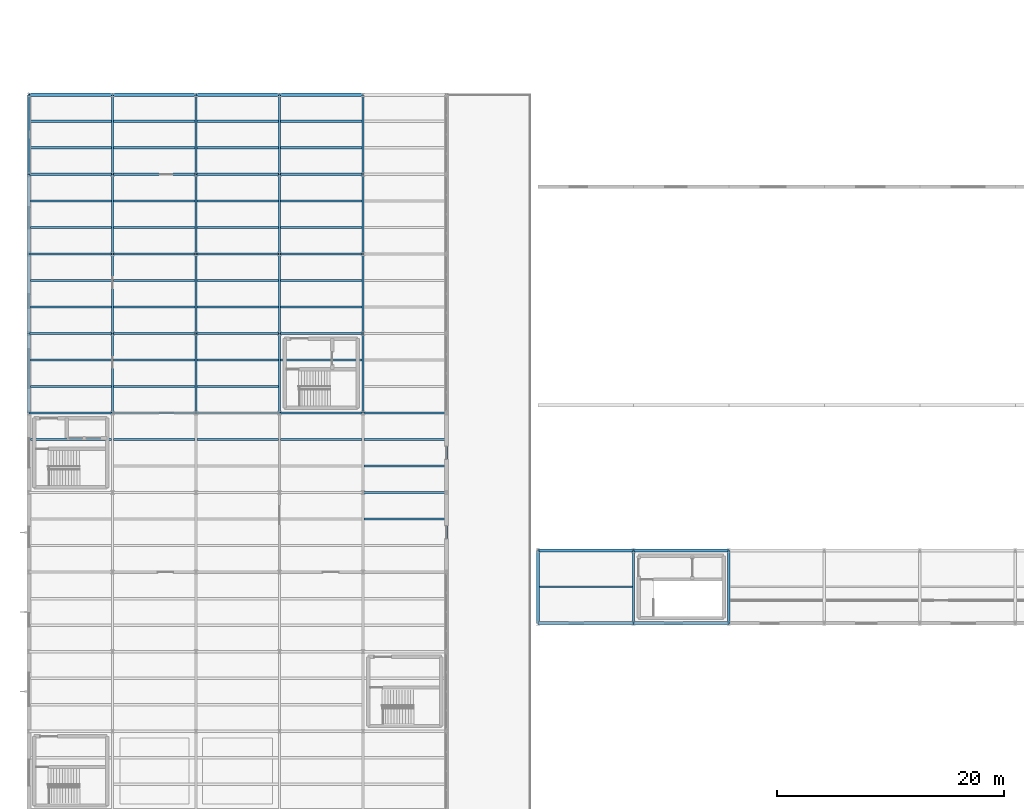
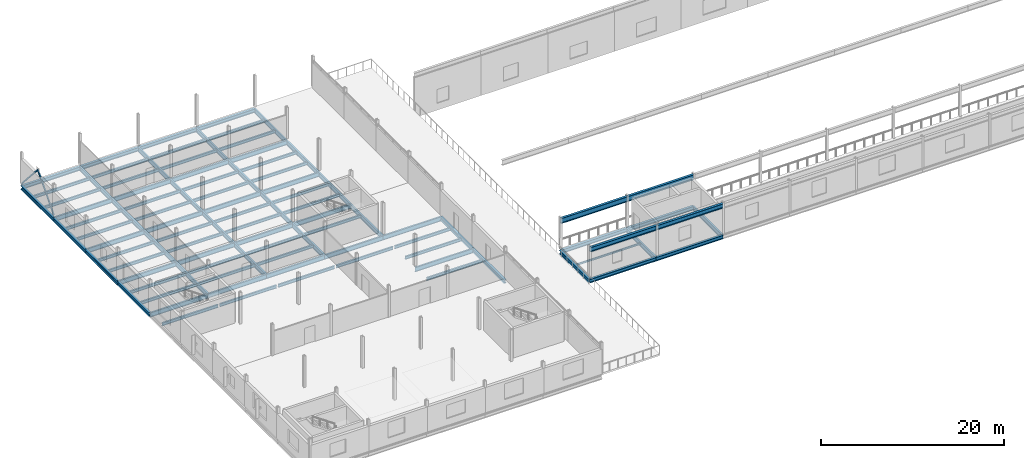
# One storey, part 19 of 39: 94 beams, 2 members.
"""IFC4 building model written with IfcOpenShell, lengths in metres."""

import ifcopenshell
import ifcopenshell.guid

model = None  # the IFC model being written
_history = None  # IfcOwnerHistory: only IFC2X3 demands one
_inside = {}  # id of a spatial element -> (the spatial element, [elements in it])
_under = {}  # id of a project, library or spatial element -> (it, [spatial elements below it])
_declared = {}  # id of a project -> (the project, [libraries it declares])
_typed = {}  # id of a type object -> (the type object, [elements of that type])
_made_of = {}  # id of a material, layer set ... -> (it, [elements and type objects made of it])


def new_model(schema):
    """Start an empty IFC model of exactly this schema.

    Asked for "IFC4X3", IfcOpenShell would pick the latest addendum, in which some entities
    have other attributes; the version numbers below select the first issue.
    IFC2X3 requires an IfcOwnerHistory on every rooted entity: one is made here for all.
    """
    global model, _history
    if schema == "IFC4X3":
        model = ifcopenshell.file(schema_version=(4, 3, 0, 0))
    else:
        model = ifcopenshell.file(schema=schema)
    _inside.clear()
    _under.clear()
    _declared.clear()
    _typed.clear()
    _made_of.clear()
    _history = None
    if model.schema == "IFC2X3":
        org = make("IfcOrganization", Name="unknown")
        user = make(
            "IfcPersonAndOrganization",
            ThePerson=make("IfcPerson", FamilyName="unknown"),
            TheOrganization=org,
        )
        app = make(
            "IfcApplication",
            ApplicationDeveloper=org,
            Version="unknown",
            ApplicationFullName="unknown",
            ApplicationIdentifier="unknown",
        )
        _history = make(
            "IfcOwnerHistory",
            OwningUser=user,
            OwningApplication=app,
            ChangeAction="ADDED",
            CreationDate=0,
        )
    return model


def make(cls, **values):
    """One entity of the class cls with the attributes given. An attribute that is None is left unset."""
    return model.create_entity(
        cls, **{name: value for name, value in values.items() if value is not None}
    )


def rooted(cls, **values):
    """An entity with a GlobalId (a new one), such as an element, a storey or a relation."""
    return make(cls, GlobalId=ifcopenshell.guid.new(), OwnerHistory=_history, **values)


def si_unit(unit_type, name, prefix=None):
    """IfcSIUnit, for example si_unit("LENGTHUNIT", "METRE", prefix="MILLI")."""
    return make("IfcSIUnit", UnitType=unit_type, Prefix=prefix, Name=name)


def assignment(units):
    """IfcUnitAssignment: the units of a project."""
    return None if units is None else make("IfcUnitAssignment", Units=units)


def point(xyz):
    """IfcCartesianPoint."""
    return None if xyz is None else make("IfcCartesianPoint", Coordinates=xyz)


def direction(xyz):
    """IfcDirection."""
    return None if xyz is None else make("IfcDirection", DirectionRatios=xyz)


def frame(location, z_axis=None, x_axis=None):
    """IfcAxis2Placement3D, a coordinate frame: its origin and axes. An axis left out is left unset."""
    return make(
        "IfcAxis2Placement3D",
        Location=point(location),
        Axis=direction(z_axis),
        RefDirection=direction(x_axis),
    )


def frame_2d(location, x_axis=None):
    """IfcAxis2Placement2D, a coordinate frame in the plane: its origin and x axis."""
    return make(
        "IfcAxis2Placement2D", Location=point(location), RefDirection=direction(x_axis)
    )


def origin():
    """The frame at (0, 0, 0) with its axes left unset."""
    return frame((0.0, 0.0, 0.0))


def origin_2d():
    """The frame at (0, 0) in the plane with its x axis left unset."""
    return frame_2d((0.0, 0.0))


def place(relative_to, where):
    """IfcLocalPlacement: puts the frame where relative to a parent placement (None: the world)."""
    return make(
        "IfcLocalPlacement", PlacementRelTo=relative_to, RelativePlacement=where
    )


def context(
    kind, dimensions, precision=None, world=None, true_north=None, identifier=None
):
    """IfcGeometricRepresentationContext, for example the 3D "Model" context."""
    return make(
        "IfcGeometricRepresentationContext",
        ContextIdentifier=identifier,
        ContextType=kind,
        CoordinateSpaceDimension=dimensions,
        Precision=precision,
        WorldCoordinateSystem=world,
        TrueNorth=true_north,
    )


def subcontext(parent, identifier, kind, view, scale=None):
    """IfcGeometricRepresentationSubContext, for example "Body" below "Model"."""
    return make(
        "IfcGeometricRepresentationSubContext",
        ContextIdentifier=identifier,
        ContextType=kind,
        ParentContext=parent,
        TargetScale=scale,
        TargetView=view,
    )


def project(units=None, contexts=None):
    """IfcProject with its units and contexts."""
    return rooted(
        "IfcProject",
        Name="project",
        RepresentationContexts=contexts,
        UnitsInContext=assignment(units),
    )


def spatial(cls, under=None, at=None, **own):
    """A site, building, storey or space (cls), placed at a placement, below another one or the project."""
    s = rooted(cls, ObjectPlacement=at, **own)
    if under is not None:
        _under.setdefault(under.id(), (under, []))[1].append(s)
    return s


def profile(cls, at=None, kind="AREA", **sizes):
    """A parametric profile (cls). Its sizes go by their IFC names, for example OverallWidth=200.0."""
    return make(cls, ProfileType=kind, Position=at, **sizes)


def hollow_rectangle(**sizes):
    """IfcRectangleHollowProfileDef."""
    return profile("IfcRectangleHollowProfileDef", **sizes)


def i_section(**sizes):
    """IfcIShapeProfileDef."""
    return profile("IfcIShapeProfileDef", **sizes)


def extrude(swept, where, along, depth):
    """IfcExtrudedAreaSolid: the profile swept, set in the frame where, extruded along a direction by depth."""
    return make(
        "IfcExtrudedAreaSolid",
        SweptArea=swept,
        Position=where,
        ExtrudedDirection=direction(along),
        Depth=depth,
    )


def shape(context_of_items, identifier, shape_type, items):
    """IfcShapeRepresentation: the items that make up one representation, for example the "Body"."""
    return make(
        "IfcShapeRepresentation",
        ContextOfItems=context_of_items,
        RepresentationIdentifier=identifier,
        RepresentationType=shape_type,
        Items=items,
    )


def material(Name=None, Category=None):
    """IfcMaterial."""
    return make("IfcMaterial", Name=Name, Category=Category)


def material_profile(
    of_material, cross_section, Name=None, Category=None, Priority=None
):
    """IfcMaterialProfile: a cross section and its material."""
    return make(
        "IfcMaterialProfile",
        Name=Name,
        Material=of_material,
        Profile=cross_section,
        Priority=Priority,
        Category=Category,
    )


def profile_set(profiles, Name=None, composite=None):
    """IfcMaterialProfileSet."""
    return make(
        "IfcMaterialProfileSet",
        Name=Name,
        MaterialProfiles=profiles,
        CompositeProfile=composite,
    )


def made_of(thing, what):
    """Note that an element or type object is made of a material, layer set ...; save() writes the relation."""
    if what is not None:
        _made_of.setdefault(what.id(), (what, []))[1].append(thing)
    return thing


def type_object(cls, material=None, **own):
    """A type object (cls), such as IfcWallType, which elements share."""
    return made_of(rooted(cls, **own), material)


def element(
    cls,
    number,
    at=None,
    inside=None,
    cuts=None,
    type_object=None,
    material=None,
    context=None,
    identifier="Body",
    shape_type=None,
    held_by="IfcProductDefinitionShape",
    body=None,
    shapes=None,
    **own,
):
    """One element of the class cls, such as IfcWall. Its Tag is "e" and its number.

    at: its placement. inside: the storey or other place that contains it. cuts: it is an
    opening in that element (IfcRelVoidsElement). A single representation is given by context,
    identifier, shape_type and body (its items); several are given by shapes. held_by: the class
    of the entity that holds the representations. save() writes the other relations.
    """
    e = rooted(cls, Tag="e%d" % number, ObjectPlacement=at, **own)
    if body is not None:
        shapes = [shape(context, identifier, shape_type, body)]
    if shapes is not None:
        e.Representation = make(held_by, Representations=shapes)
    if inside is not None:
        _inside.setdefault(inside.id(), (inside, []))[1].append(e)
    if cuts is not None:
        rooted(
            "IfcRelVoidsElement", RelatingBuildingElement=cuts, RelatedOpeningElement=e
        )
    if type_object is not None:
        _typed.setdefault(type_object.id(), (type_object, []))[1].append(e)
    return made_of(e, material)


def aggregate(whole, parts):
    """IfcRelAggregates: a whole, such as a stair, and the parts it consists of."""
    return rooted("IfcRelAggregates", RelatingObject=whole, RelatedObjects=parts)


def save(model, path):
    """Write the relations noted so far, then the file.

    IfcRelAggregates (storeys below a building ...), IfcRelContainedInSpatialStructure (elements
    in a storey), IfcRelDefinesByType, IfcRelAssociatesMaterial and IfcRelDeclares: one each for
    every whole, place, type object, material and project.
    """
    for whole, parts in _under.values():
        aggregate(whole, parts)
    for where, things in _inside.values():
        rooted(
            "IfcRelContainedInSpatialStructure",
            RelatedElements=things,
            RelatingStructure=where,
        )
    for kind, things in _typed.values():
        rooted("IfcRelDefinesByType", RelatedObjects=things, RelatingType=kind)
    for what, things in _made_of.values():
        rooted("IfcRelAssociatesMaterial", RelatedObjects=things, RelatingMaterial=what)
    for by, libraries in _declared.values():
        rooted("IfcRelDeclares", RelatingContext=by, RelatedDefinitions=libraries)
    model.write(path)


model = new_model("IFC4")

# Units and contexts
model_context = context("Model", 3, precision=1e-05, world=origin(), true_north=direction((0.0, 1.0)))
body_context = subcontext(model_context, "Body", "Model", "MODEL_VIEW")
ifc_project = project(units=[si_unit("LENGTHUNIT", "METRE"), si_unit("AREAUNIT", "SQUARE_METRE"), si_unit("VOLUMEUNIT", "CUBIC_METRE"), si_unit("PLANEANGLEUNIT", "RADIAN"), si_unit("MASSUNIT", "GRAM", prefix="KILO")], contexts=[model_context])

# Site, building, storey
site_placement = place(None, origin())
site = spatial("IfcSite", under=ifc_project, at=site_placement, CompositionType="ELEMENT")
building_placement = place(site_placement, origin())
building = spatial("IfcBuilding", under=site, at=building_placement, Name="Kazenagashi Tramway Depot", CompositionType="ELEMENT")
storey_placement = place(building_placement, frame((0.0, 0.0, 11.1)))
storey = spatial("IfcBuildingStorey", under=building, at=storey_placement, Name="L03", CompositionType="ELEMENT", Elevation=11.1)

# Members
ifc_material_1 = material(Name="Steel STKR400", Category="steel")
ifc_material_profile_1 = material_profile(ifc_material_1, hollow_rectangle(XDim=0.15, YDim=0.15, WallThickness=0.006, at=origin_2d()), Name="SHS-150x150x6")
ifc_profile_set_1 = profile_set([ifc_material_profile_1], Name="Steel STKR400")
member_type = type_object("IfcMemberType", Name="BR-02", PredefinedType="BRACE", material=ifc_profile_set_1)
for number, where, z_axis, x_axis, name in (
    (1, (0.0, 56.0, 0.0), (0.0, 0.663186921282, 0.748453811161), (-1.0, 0.0, 0.0), "Seismic Brace Member BR-02 MEM-1606"),
    (2, (0.0, 63.0, 0.0), (0.0, -0.663186921282, 0.748453811161), (1.0, 0.0, 0.0), "Seismic Brace Member BR-02 MEM-1607"),
):
    element("IfcMember", number, at=place(storey_placement, frame(where, z_axis=z_axis, x_axis=x_axis)), inside=storey, type_object=member_type, Name=name, PredefinedType="BRACE", context=body_context, shape_type="SweptSolid", body=[
        extrude(hollow_rectangle(XDim=0.15, YDim=0.15, WallThickness=0.006, at=origin_2d()), origin(), (0.0, 0.0, 1.0), 5.277547),
    ])

# Beams
ifc_material_2 = material(Name="Steel SN490B", Category="steel")
ifc_material_profile_2 = material_profile(ifc_material_2, i_section(OverallWidth=0.2, OverallDepth=0.6, WebThickness=0.011, FlangeThickness=0.017, at=origin_2d()), Name="H-600x200x11x17")
ifc_profile_set_2 = profile_set([ifc_material_profile_2], Name="Steel SN490B")
beam_type_1 = type_object("IfcBeamType", Name="G-03", PredefinedType="BEAM", material=ifc_profile_set_2)
for number, where, z_axis, x_axis, name in (
    (3, (53.2, 16.5, -0.51), (0.0, 1.0, 0.0), (-1.0, 0.0, 0.0), "Beam G-03 BM-1128"),
    (4, (61.6, 16.5, -0.51), (0.0, 1.0, 0.0), (-1.0, 0.0, 0.0), "Beam G-03 BM-1129"),
):
    element("IfcBeam", number, at=place(storey_placement, frame(where, z_axis=z_axis, x_axis=x_axis)), inside=storey, type_object=beam_type_1, Name=name, PredefinedType="BEAM", context=body_context, shape_type="SweptSolid", body=[
        extrude(i_section(OverallWidth=0.2, OverallDepth=0.6, WebThickness=0.011, FlangeThickness=0.017, at=origin_2d()), origin(), (0.0, 0.0, 1.0), 6.4),
    ])
ifc_material_profile_3 = material_profile(ifc_material_2, i_section(OverallWidth=0.3, OverallDepth=0.692, WebThickness=0.013, FlangeThickness=0.02, at=origin_2d()), Name="H-692x300x13x20")
ifc_profile_set_3 = profile_set([ifc_material_profile_3], Name="Steel SN490B")
beam_type_2 = type_object("IfcBeamType", Name="G-08", PredefinedType="BEAM", material=ifc_profile_set_3)
for number, where, z_axis, x_axis, name in (
    (5, (44.8, 22.9, 3.654), (1.0, 0.0, 0.0), (0.0, 1.0, 0.0), "Beam G-08 BM-0958"),
    (6, (53.2, 22.9, 3.654), (1.0, 0.0, 0.0), (0.0, 1.0, 0.0), "Beam G-08 BM-0959"),
):
    element("IfcBeam", number, at=place(storey_placement, frame(where, z_axis=z_axis, x_axis=x_axis)), inside=storey, type_object=beam_type_2, Name=name, PredefinedType="BEAM", context=body_context, shape_type="SweptSolid", body=[
        extrude(i_section(OverallWidth=0.3, OverallDepth=0.692, WebThickness=0.013, FlangeThickness=0.02, at=origin_2d()), origin(), (0.0, 0.0, 1.0), 8.4),
    ])
ifc_material_profile_4 = material_profile(ifc_material_2, i_section(OverallWidth=0.199, OverallDepth=0.596, WebThickness=0.01, FlangeThickness=0.015, at=origin_2d()), Name="H-596x199x10x15")
ifc_profile_set_4 = profile_set([ifc_material_profile_4], Name="Steel SN490B")
beam_type_3 = type_object("IfcBeamType", Name="G-09", PredefinedType="BEAM", material=ifc_profile_set_4)
for number, where, z_axis, x_axis, name in (
    (7, (29.4, 28.0, -0.548), (1.0, 0.0, 0.0), (0.0, 1.0, 0.0), "Beam G-09 BM-0242"),
    (8, (0.0, 35.0, -0.548), (1.0, 0.0, 0.0), (0.0, 1.0, 0.0), "Beam G-09 BM-0243"),
    (9, (7.35, 35.0, -0.548), (1.0, 0.0, 0.0), (0.0, 1.0, 0.0), "Beam G-09 BM-0244"),
    (10, (14.7, 35.0, -0.548), (1.0, 0.0, 0.0), (0.0, 1.0, 0.0), "Beam G-09 BM-0245"),
    (11, (22.05, 35.0, -0.548), (1.0, 0.0, 0.0), (0.0, 1.0, 0.0), "Beam G-09 BM-0246"),
    (12, (29.4, 35.0, -0.548), (1.0, 0.0, 0.0), (0.0, 1.0, 0.0), "Beam G-09 BM-0247"),
    (13, (0.0, 42.0, -0.548), (1.0, 0.0, 0.0), (0.0, 1.0, 0.0), "Beam G-09 BM-0248"),
    (14, (7.35, 42.0, -0.548), (1.0, 0.0, 0.0), (0.0, 1.0, 0.0), "Beam G-09 BM-0249"),
    (15, (14.7, 42.0, -0.548), (1.0, 0.0, 0.0), (0.0, 1.0, 0.0), "Beam G-09 BM-0250"),
    (16, (22.05, 42.0, -0.548), (1.0, 0.0, 0.0), (0.0, 1.0, 0.0), "Beam G-09 BM-0251"),
    (17, (0.0, 49.0, -0.548), (1.0, 0.0, 0.0), (0.0, 1.0, 0.0), "Beam G-09 BM-0253"),
    (18, (7.35, 49.0, -0.548), (1.0, 0.0, 0.0), (0.0, 1.0, 0.0), "Beam G-09 BM-0254"),
    (19, (14.7, 49.0, -0.548), (1.0, 0.0, 0.0), (0.0, 1.0, 0.0), "Beam G-09 BM-0255"),
    (20, (22.05, 49.0, -0.548), (1.0, 0.0, 0.0), (0.0, 1.0, 0.0), "Beam G-09 BM-0256"),
    (21, (0.0, 56.0, -0.548), (1.0, 0.0, 0.0), (0.0, 1.0, 0.0), "Beam G-09 BM-0258"),
    (22, (7.35, 56.0, -0.548), (1.0, 0.0, 0.0), (0.0, 1.0, 0.0), "Beam G-09 BM-0259"),
    (23, (14.7, 56.0, -0.548), (1.0, 0.0, 0.0), (0.0, 1.0, 0.0), "Beam G-09 BM-0260"),
    (24, (22.05, 56.0, -0.548), (1.0, 0.0, 0.0), (0.0, 1.0, 0.0), "Beam G-09 BM-0261"),
):
    element("IfcBeam", number, at=place(storey_placement, frame(where, z_axis=z_axis, x_axis=x_axis)), inside=storey, type_object=beam_type_3, Name=name, PredefinedType="BEAM", context=body_context, shape_type="SweptSolid", body=[
        extrude(i_section(OverallWidth=0.199, OverallDepth=0.596, WebThickness=0.01, FlangeThickness=0.015, at=origin_2d()), origin(), (0.0, 0.0, 1.0), 7.35),
    ])
for number, where, z_axis, x_axis, name in (
    (25, (7.35, 35.0, -0.548), (0.0, 1.0, 0.0), (-1.0, 0.0, 0.0), "Beam G-09 BM-0308"),
    (26, (7.35, 42.0, -0.548), (0.0, 1.0, 0.0), (-1.0, 0.0, 0.0), "Beam G-09 BM-0311"),
    (27, (7.35, 49.0, -0.548), (0.0, 1.0, 0.0), (-1.0, 0.0, 0.0), "Beam G-09 BM-0314"),
    (28, (7.35, 56.0, -0.548), (0.0, 1.0, 0.0), (-1.0, 0.0, 0.0), "Beam G-09 BM-0317"),
    (29, (14.7, 35.0, -0.548), (0.0, 1.0, 0.0), (-1.0, 0.0, 0.0), "Beam G-09 BM-0335"),
    (30, (14.7, 42.0, -0.548), (0.0, 1.0, 0.0), (-1.0, 0.0, 0.0), "Beam G-09 BM-0338"),
    (31, (14.7, 49.0, -0.548), (0.0, 1.0, 0.0), (-1.0, 0.0, 0.0), "Beam G-09 BM-0341"),
    (32, (14.7, 56.0, -0.548), (0.0, 1.0, 0.0), (-1.0, 0.0, 0.0), "Beam G-09 BM-0344"),
    (33, (22.05, 35.0, -0.548), (0.0, 1.0, 0.0), (-1.0, 0.0, 0.0), "Beam G-09 BM-0362"),
    (34, (22.05, 42.0, -0.548), (0.0, 1.0, 0.0), (-1.0, 0.0, 0.0), "Beam G-09 BM-0364"),
    (35, (22.05, 49.0, -0.548), (0.0, 1.0, 0.0), (-1.0, 0.0, 0.0), "Beam G-09 BM-0367"),
    (36, (22.05, 56.0, -0.548), (0.0, 1.0, 0.0), (-1.0, 0.0, 0.0), "Beam G-09 BM-0370"),
    (37, (29.4, 35.0, -0.548), (0.0, 1.0, 0.0), (-1.0, 0.0, 0.0), "Beam G-09 BM-0387"),
    (38, (29.4, 42.0, -0.548), (0.0, 1.0, 0.0), (-1.0, 0.0, 0.0), "Beam G-09 BM-0390"),
    (39, (29.4, 49.0, -0.548), (0.0, 1.0, 0.0), (-1.0, 0.0, 0.0), "Beam G-09 BM-0393"),
    (40, (29.4, 56.0, -0.548), (0.0, 1.0, 0.0), (-1.0, 0.0, 0.0), "Beam G-09 BM-0396"),
):
    element("IfcBeam", number, at=place(storey_placement, frame(where, z_axis=z_axis, x_axis=x_axis)), inside=storey, type_object=beam_type_3, Name=name, PredefinedType="BEAM", context=body_context, shape_type="SweptSolid", body=[
        extrude(i_section(OverallWidth=0.199, OverallDepth=0.596, WebThickness=0.01, FlangeThickness=0.015, at=origin_2d()), origin(), (0.0, 0.0, 1.0), 7.0),
    ])
ifc_material_3 = material(Name="Steel SN400B", Category="steel")
ifc_material_profile_5 = material_profile(ifc_material_3, i_section(OverallWidth=0.125, OverallDepth=0.25, WebThickness=0.006, FlangeThickness=0.009, at=origin_2d()), Name="H-250x125x6x9")
ifc_profile_set_5 = profile_set([ifc_material_profile_5], Name="Steel SN400B")
beam_type_4 = type_object("IfcBeamType", Name="J-03", PredefinedType="JOIST", material=ifc_profile_set_5)
beam_1_placement = place(storey_placement, frame((44.95, 19.7, -0.335), z_axis=(1.0, 0.0, 0.0), x_axis=(0.0, 1.0, 0.0)))
element("IfcBeam", 41, at=beam_1_placement, inside=storey, type_object=beam_type_4, Name="Beam J-03 BM-1127", PredefinedType="JOIST", context=body_context, shape_type="SweptSolid", body=[
    extrude(i_section(OverallWidth=0.125, OverallDepth=0.25, WebThickness=0.006, FlangeThickness=0.009, at=origin_2d()), origin(), (0.0, 0.0, 1.0), 8.15),
])
ifc_material_profile_6 = material_profile(ifc_material_2, i_section(OverallWidth=0.199, OverallDepth=0.396, WebThickness=0.007, FlangeThickness=0.011, at=origin_2d()), Name="H-396x199x7x11")
ifc_profile_set_6 = profile_set([ifc_material_profile_6], Name="Steel SN490B")
beam_type_5 = type_object("IfcBeamType", Name="J-05", PredefinedType="JOIST", material=ifc_profile_set_6)
for number, where, z_axis, x_axis, name in (
    (42, (0.15, 32.667, -0.448), (1.0, 0.0, 0.0), (0.0, 1.0, 0.0), "Beam J-05 BM-0280"),
    (43, (0.15, 37.333, -0.448), (1.0, 0.0, 0.0), (0.0, 1.0, 0.0), "Beam J-05 BM-0282"),
    (44, (0.15, 39.667, -0.448), (1.0, 0.0, 0.0), (0.0, 1.0, 0.0), "Beam J-05 BM-0283"),
    (45, (0.15, 44.333, -0.448), (1.0, 0.0, 0.0), (0.0, 1.0, 0.0), "Beam J-05 BM-0285"),
    (46, (0.15, 46.667, -0.448), (1.0, 0.0, 0.0), (0.0, 1.0, 0.0), "Beam J-05 BM-0286"),
    (47, (0.15, 51.333, -0.448), (1.0, 0.0, 0.0), (0.0, 1.0, 0.0), "Beam J-05 BM-0288"),
    (48, (0.15, 53.667, -0.448), (1.0, 0.0, 0.0), (0.0, 1.0, 0.0), "Beam J-05 BM-0289"),
    (49, (0.15, 58.333, -0.448), (1.0, 0.0, 0.0), (0.0, 1.0, 0.0), "Beam J-05 BM-0291"),
    (50, (0.15, 60.667, -0.448), (1.0, 0.0, 0.0), (0.0, 1.0, 0.0), "Beam J-05 BM-0292"),
):
    element("IfcBeam", number, at=place(storey_placement, frame(where, z_axis=z_axis, x_axis=x_axis)), inside=storey, type_object=beam_type_5, Name=name, PredefinedType="JOIST", context=body_context, shape_type="SweptSolid", body=[
        extrude(i_section(OverallWidth=0.199, OverallDepth=0.396, WebThickness=0.007, FlangeThickness=0.011, at=origin_2d()), origin(), (0.0, 0.0, 1.0), 7.101),
    ])
for number, where, z_axis, x_axis, name in (
    (51, (7.449, 32.667, -0.448), (1.0, 0.0, 0.0), (0.0, 1.0, 0.0), "Beam J-05 BM-0307"),
    (52, (7.449, 37.333, -0.448), (1.0, 0.0, 0.0), (0.0, 1.0, 0.0), "Beam J-05 BM-0309"),
    (53, (7.449, 39.667, -0.448), (1.0, 0.0, 0.0), (0.0, 1.0, 0.0), "Beam J-05 BM-0310"),
    (54, (7.449, 44.333, -0.448), (1.0, 0.0, 0.0), (0.0, 1.0, 0.0), "Beam J-05 BM-0312"),
    (55, (7.449, 46.667, -0.448), (1.0, 0.0, 0.0), (0.0, 1.0, 0.0), "Beam J-05 BM-0313"),
    (56, (7.449, 51.333, -0.448), (1.0, 0.0, 0.0), (0.0, 1.0, 0.0), "Beam J-05 BM-0315"),
    (57, (7.449, 53.667, -0.448), (1.0, 0.0, 0.0), (0.0, 1.0, 0.0), "Beam J-05 BM-0316"),
    (58, (7.449, 58.333, -0.448), (1.0, 0.0, 0.0), (0.0, 1.0, 0.0), "Beam J-05 BM-0318"),
    (59, (7.449, 60.667, -0.448), (1.0, 0.0, 0.0), (0.0, 1.0, 0.0), "Beam J-05 BM-0319"),
    (60, (14.799, 32.667, -0.448), (1.0, 0.0, 0.0), (0.0, 1.0, 0.0), "Beam J-05 BM-0334"),
    (61, (14.799, 37.333, -0.448), (1.0, 0.0, 0.0), (0.0, 1.0, 0.0), "Beam J-05 BM-0336"),
    (62, (14.799, 39.667, -0.448), (1.0, 0.0, 0.0), (0.0, 1.0, 0.0), "Beam J-05 BM-0337"),
    (63, (14.799, 44.333, -0.448), (1.0, 0.0, 0.0), (0.0, 1.0, 0.0), "Beam J-05 BM-0339"),
    (64, (14.799, 46.667, -0.448), (1.0, 0.0, 0.0), (0.0, 1.0, 0.0), "Beam J-05 BM-0340"),
    (65, (14.799, 51.333, -0.448), (1.0, 0.0, 0.0), (0.0, 1.0, 0.0), "Beam J-05 BM-0342"),
    (66, (14.799, 53.667, -0.448), (1.0, 0.0, 0.0), (0.0, 1.0, 0.0), "Beam J-05 BM-0343"),
    (67, (14.799, 58.333, -0.448), (1.0, 0.0, 0.0), (0.0, 1.0, 0.0), "Beam J-05 BM-0345"),
    (68, (14.799, 60.667, -0.448), (1.0, 0.0, 0.0), (0.0, 1.0, 0.0), "Beam J-05 BM-0346"),
    (69, (22.149, 32.667, -0.448), (1.0, 0.0, 0.0), (0.0, 1.0, 0.0), "Beam J-05 BM-0361"),
    (70, (22.149, 39.667, -0.448), (1.0, 0.0, 0.0), (0.0, 1.0, 0.0), "Beam J-05 BM-0363"),
    (71, (22.149, 44.333, -0.448), (1.0, 0.0, 0.0), (0.0, 1.0, 0.0), "Beam J-05 BM-0365"),
    (72, (22.149, 46.667, -0.448), (1.0, 0.0, 0.0), (0.0, 1.0, 0.0), "Beam J-05 BM-0366"),
    (73, (22.149, 51.333, -0.448), (1.0, 0.0, 0.0), (0.0, 1.0, 0.0), "Beam J-05 BM-0368"),
    (74, (22.149, 53.667, -0.448), (1.0, 0.0, 0.0), (0.0, 1.0, 0.0), "Beam J-05 BM-0369"),
    (75, (22.149, 58.333, -0.448), (1.0, 0.0, 0.0), (0.0, 1.0, 0.0), "Beam J-05 BM-0371"),
    (76, (22.149, 60.667, -0.448), (1.0, 0.0, 0.0), (0.0, 1.0, 0.0), "Beam J-05 BM-0372"),
):
    element("IfcBeam", number, at=place(storey_placement, frame(where, z_axis=z_axis, x_axis=x_axis)), inside=storey, type_object=beam_type_5, Name=name, PredefinedType="JOIST", context=body_context, shape_type="SweptSolid", body=[
        extrude(i_section(OverallWidth=0.199, OverallDepth=0.396, WebThickness=0.007, FlangeThickness=0.011, at=origin_2d()), origin(), (0.0, 0.0, 1.0), 7.152),
    ])
for number, where, z_axis, x_axis, name in (
    (77, (29.499, 25.667, -0.448), (1.0, 0.0, 0.0), (0.0, 1.0, 0.0), "Beam J-05 BM-0383"),
    (78, (29.499, 30.333, -0.448), (1.0, 0.0, 0.0), (0.0, 1.0, 0.0), "Beam J-05 BM-0385"),
    (79, (29.499, 32.667, -0.448), (1.0, 0.0, 0.0), (0.0, 1.0, 0.0), "Beam J-05 BM-0386"),
):
    element("IfcBeam", number, at=place(storey_placement, frame(where, z_axis=z_axis, x_axis=x_axis)), inside=storey, type_object=beam_type_5, Name=name, PredefinedType="JOIST", context=body_context, shape_type="SweptSolid", body=[
        extrude(i_section(OverallWidth=0.199, OverallDepth=0.396, WebThickness=0.007, FlangeThickness=0.011, at=origin_2d()), origin(), (0.0, 0.0, 1.0), 7.101),
    ])
ifc_material_profile_7 = material_profile(ifc_material_2, i_section(OverallWidth=0.3, OverallDepth=0.588, WebThickness=0.012, FlangeThickness=0.02, at=origin_2d()), Name="H-588x300x12x20")
ifc_profile_set_7 = profile_set([ifc_material_profile_7], Name="Steel SN490B")
beam_type_6 = type_object("IfcBeamType", Name="SP-01", PredefinedType="SPANDREL", material=ifc_profile_set_7)
for number, where, z_axis, x_axis, name in (
    (80, (44.8, 16.5, 3.706), (1.0, 0.0, 0.0), (0.0, 1.0, 0.0), "Beam SP-01 BM-0946"),
    (81, (53.2, 16.5, 3.706), (1.0, 0.0, 0.0), (0.0, 1.0, 0.0), "Beam SP-01 BM-0947"),
):
    element("IfcBeam", number, at=place(storey_placement, frame(where, z_axis=z_axis, x_axis=x_axis)), inside=storey, type_object=beam_type_6, Name=name, PredefinedType="SPANDREL", context=body_context, shape_type="SweptSolid", body=[
        extrude(i_section(OverallWidth=0.3, OverallDepth=0.588, WebThickness=0.012, FlangeThickness=0.02, at=origin_2d()), origin(), (0.0, 0.0, 1.0), 8.4),
    ])
ifc_material_profile_8 = material_profile(ifc_material_2, i_section(OverallWidth=0.3, OverallDepth=0.488, WebThickness=0.011, FlangeThickness=0.018, at=origin_2d()), Name="H-488x300x11x18")
ifc_profile_set_8 = profile_set([ifc_material_profile_8], Name="Steel SN490B")
beam_type_7 = type_object("IfcBeamType", Name="SP-02", PredefinedType="SPANDREL", material=ifc_profile_set_8)
for number, where, z_axis, x_axis, name in (
    (82, (0.0, 63.0, -0.494), (1.0, 0.0, 0.0), (0.0, 1.0, 0.0), "Beam SP-02 BM-0263"),
    (83, (7.35, 63.0, -0.494), (1.0, 0.0, 0.0), (0.0, 1.0, 0.0), "Beam SP-02 BM-0264"),
    (84, (14.7, 63.0, -0.494), (1.0, 0.0, 0.0), (0.0, 1.0, 0.0), "Beam SP-02 BM-0265"),
    (85, (22.05, 63.0, -0.494), (1.0, 0.0, 0.0), (0.0, 1.0, 0.0), "Beam SP-02 BM-0266"),
):
    element("IfcBeam", number, at=place(storey_placement, frame(where, z_axis=z_axis, x_axis=x_axis)), inside=storey, type_object=beam_type_7, Name=name, PredefinedType="SPANDREL", context=body_context, shape_type="SweptSolid", body=[
        extrude(i_section(OverallWidth=0.3, OverallDepth=0.488, WebThickness=0.011, FlangeThickness=0.018, at=origin_2d()), origin(), (0.0, 0.0, 1.0), 7.35),
    ])
for number, where, z_axis, x_axis, name in (
    (86, (0.0, 35.0, -0.494), (0.0, 1.0, 0.0), (-1.0, 0.0, 0.0), "Beam SP-02 BM-0281"),
    (87, (0.0, 42.0, -0.494), (0.0, 1.0, 0.0), (-1.0, 0.0, 0.0), "Beam SP-02 BM-0284"),
    (88, (0.0, 49.0, -0.494), (0.0, 1.0, 0.0), (-1.0, 0.0, 0.0), "Beam SP-02 BM-0287"),
    (89, (0.0, 56.0, -0.494), (0.0, 1.0, 0.0), (-1.0, 0.0, 0.0), "Beam SP-02 BM-0290"),
    (90, (36.75, 21.0, -0.494), (0.0, 1.0, 0.0), (-1.0, 0.0, 0.0), "Beam SP-02 BM-0402"),
    (91, (36.75, 28.0, -0.494), (0.0, 1.0, 0.0), (-1.0, 0.0, 0.0), "Beam SP-02 BM-0403"),
):
    element("IfcBeam", number, at=place(storey_placement, frame(where, z_axis=z_axis, x_axis=x_axis)), inside=storey, type_object=beam_type_7, Name=name, PredefinedType="SPANDREL", context=body_context, shape_type="SweptSolid", body=[
        extrude(i_section(OverallWidth=0.3, OverallDepth=0.488, WebThickness=0.011, FlangeThickness=0.018, at=origin_2d()), origin(), (0.0, 0.0, 1.0), 7.0),
    ])
for number, where, z_axis, x_axis, name in (
    (92, (44.8, 16.5, -0.454), (1.0, 0.0, 0.0), (0.0, 1.0, 0.0), "Beam SP-02 BM-1102"),
    (93, (53.2, 16.5, -0.454), (1.0, 0.0, 0.0), (0.0, 1.0, 0.0), "Beam SP-02 BM-1103"),
    (94, (44.8, 22.9, -0.454), (1.0, 0.0, 0.0), (0.0, 1.0, 0.0), "Beam SP-02 BM-1114"),
    (95, (53.2, 22.9, -0.454), (1.0, 0.0, 0.0), (0.0, 1.0, 0.0), "Beam SP-02 BM-1115"),
):
    element("IfcBeam", number, at=place(storey_placement, frame(where, z_axis=z_axis, x_axis=x_axis)), inside=storey, type_object=beam_type_7, Name=name, PredefinedType="SPANDREL", context=body_context, shape_type="SweptSolid", body=[
        extrude(i_section(OverallWidth=0.3, OverallDepth=0.488, WebThickness=0.011, FlangeThickness=0.018, at=origin_2d()), origin(), (0.0, 0.0, 1.0), 8.4),
    ])
beam_2_placement = place(storey_placement, frame((44.8, 16.5, -0.454), z_axis=(0.0, 1.0, 0.0), x_axis=(-1.0, 0.0, 0.0)))
element("IfcBeam", 96, at=beam_2_placement, inside=storey, type_object=beam_type_7, Name="Beam SP-02 BM-1126", PredefinedType="SPANDREL", context=body_context, shape_type="SweptSolid", body=[
    extrude(i_section(OverallWidth=0.3, OverallDepth=0.488, WebThickness=0.011, FlangeThickness=0.018, at=origin_2d()), origin(), (0.0, 0.0, 1.0), 6.4),
])

save(model, "model.ifc")
